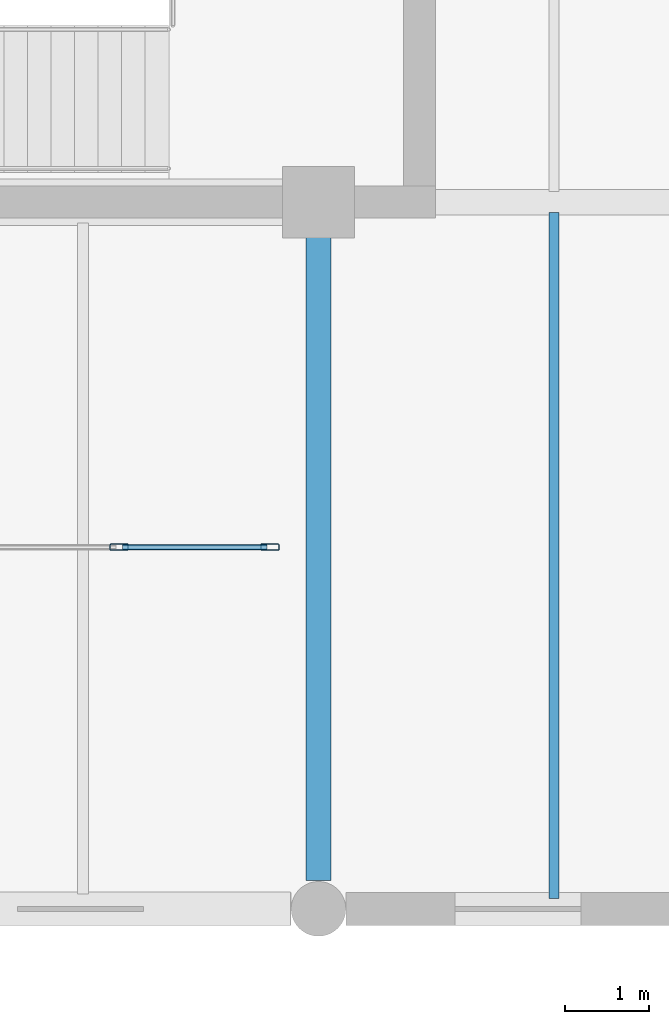
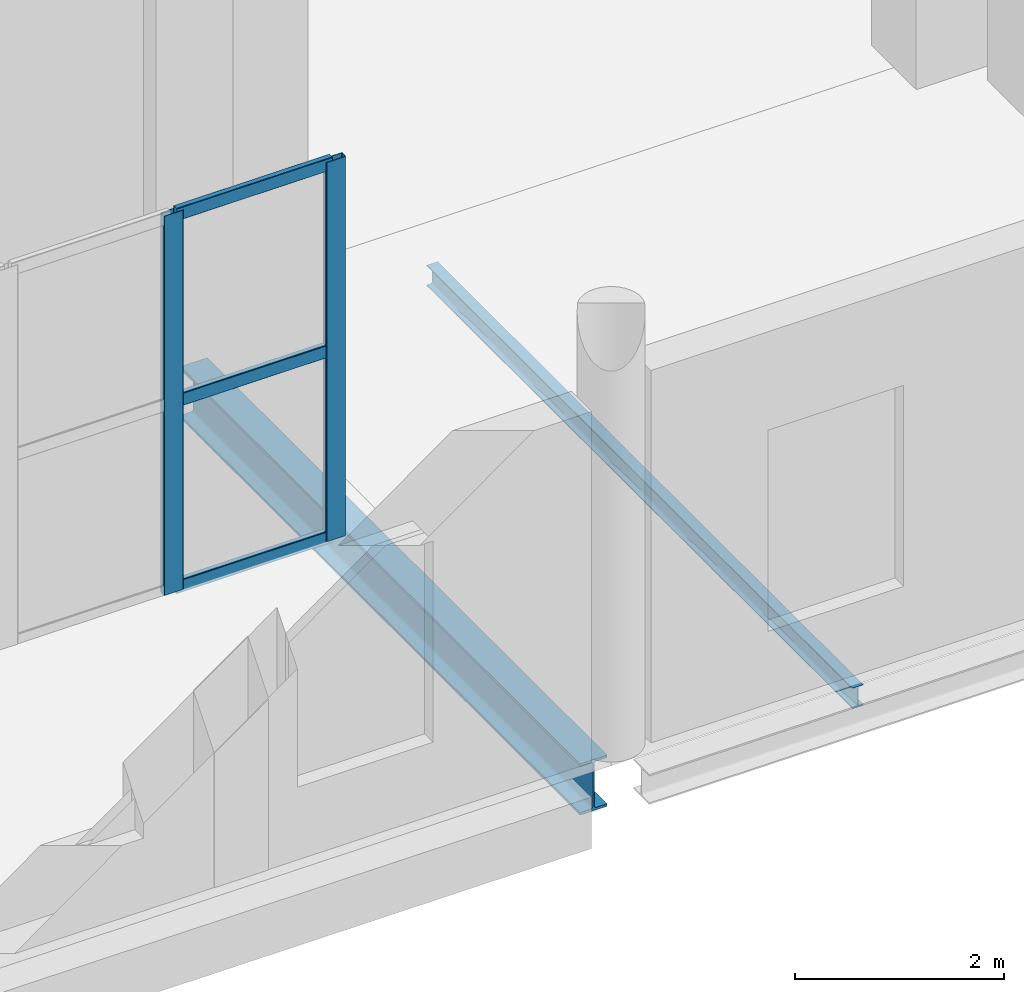
# One storey, part 9 of 73: 5 members, 2 beams, 1 element without a shape of its own.
"""IFC4 building model written with IfcOpenShell, lengths in metres."""

from ifc_helpers import new_model, si_unit, direction, frame, origin, origin_2d, place, context, subcontext, project, spatial, hollow_rectangle, i_section, extrude, material, layer, layer_set, material_profile, profile_set, type_object, element, aggregate, save


model = new_model("IFC4")

# Units and contexts
model_context = context("Model", 3, precision=1e-05, world=origin(), true_north=direction((0.0, 1.0)))
body_context = subcontext(model_context, "Body", "Model", "MODEL_VIEW")
ifc_project = project(units=[si_unit("LENGTHUNIT", "METRE"), si_unit("AREAUNIT", "SQUARE_METRE"), si_unit("VOLUMEUNIT", "CUBIC_METRE"), si_unit("PLANEANGLEUNIT", "RADIAN"), si_unit("MASSUNIT", "GRAM", prefix="KILO")], contexts=[model_context])

# Site, building, storey
site_placement = place(None, origin())
site = spatial("IfcSite", under=ifc_project, at=site_placement, CompositionType="ELEMENT")
building_placement = place(site_placement, origin())
building = spatial("IfcBuilding", under=site, at=building_placement, Name="Zulmaris Art Gallery", CompositionType="ELEMENT")
storey_placement = place(building_placement, frame((0.0, 0.0, 10.5)))
storey = spatial("IfcBuildingStorey", under=building, at=storey_placement, Name="L02", CompositionType="ELEMENT", Elevation=10.5)

# Beams
ifc_material_1 = material(Name="Steel S355J2", Category="steel")
ifc_material_profile_1 = material_profile(ifc_material_1, i_section(OverallWidth=0.300048828125, OverallDepth=0.60009765625, WebThickness=0.015380859375, FlangeThickness=0.030029296875, FilletRadius=0.027099609375, at=origin_2d()), Name="HEB 600")
ifc_profile_set_1 = profile_set([ifc_material_profile_1], Name="Steel S355J2")
beam_type_1 = type_object("IfcBeamType", Name="BEAM-BM15", PredefinedType="BEAM", material=ifc_profile_set_1)
beam_1_placement = place(storey_placement, frame((74.39990234375, 13.534912109375, -0.699951171875), z_axis=(0.0, 1.0, 0.0), x_axis=(-1.0, 0.0, 0.0)))
element("IfcBeam", 1, at=beam_1_placement, inside=storey, type_object=beam_type_1, Name="L02 Y-girder (x=74.4, 13.2..21.6)", PredefinedType="BEAM", context=body_context, shape_type="SweptSolid", body=[
    extrude(i_section(OverallWidth=0.300048828125, OverallDepth=0.60009765625, WebThickness=0.015380859375, FlangeThickness=0.030029296875, FilletRadius=0.027099609375, at=origin_2d()), origin(), (0.0, 0.0, 1.0), 7.655029296875),
])
ifc_material_profile_2 = material_profile(ifc_material_1, i_section(OverallWidth=0.1201171875, OverallDepth=0.239990234375, WebThickness=0.006103515625, FlangeThickness=0.009765625, FilletRadius=0.014892578125, at=origin_2d()), Name="IPE 240")
ifc_profile_set_2 = profile_set([ifc_material_profile_2], Name="Steel S355J2")
beam_type_2 = type_object("IfcBeamType", Name="BEAM-JS01", PredefinedType="JOIST", material=ifc_profile_set_2)
beam_2_placement = place(storey_placement, frame((77.199951171875, 13.324951171875, -0.52001953125), z_axis=(0.0, 1.0, 0.0), x_axis=(-1.0, 0.0, 0.0)))
element("IfcBeam", 2, at=beam_2_placement, inside=storey, type_object=beam_type_2, Name="L02 secondary joist at x=77.2", PredefinedType="JOIST", context=body_context, shape_type="SweptSolid", body=[
    extrude(i_section(OverallWidth=0.1201171875, OverallDepth=0.239990234375, WebThickness=0.006103515625, FlangeThickness=0.009765625, FilletRadius=0.014892578125, at=origin_2d()), origin(), (0.0, 0.0, 1.0), 8.150146484375),
])

# Curtain wall, members
ifc_material_2 = material(Name="Cloister & Court Glazed Curtain Wall", Category="aluminium")
ifc_layer = layer(ifc_material_2, 0.179931640625)
ifc_layer_set = layer_set([ifc_layer], Name="Cloister & Court Glazed Curtain Wall")
curtain_wall_type = type_object("IfcCurtainWallType", Name="CW-CW03", PredefinedType="NOTDEFINED", material=ifc_layer_set)
curtain_wall_placement = place(storey_placement, origin())
curtain_wall = element("IfcCurtainWall", 3, at=curtain_wall_placement, inside=storey, type_object=curtain_wall_type, Name="L02 curtain wall 61", PredefinedType="NOTDEFINED")
ifc_material_3 = material(Name="Anodised Bronze Aluminium", Category="aluminium")
ifc_material_profile_3 = material_profile(ifc_material_3, hollow_rectangle(XDim=0.074951171875, YDim=0.219970703125, WallThickness=0.0048828125, InnerFilletRadius=0.007568359375, OuterFilletRadius=0.012451171875, at=origin_2d()), Name="ALU 75x220x5")
ifc_profile_set_3 = profile_set([ifc_material_profile_3], Name="Anodised Bronze Aluminium")
member_type_1 = type_object("IfcMemberType", Name="CWMUL-02", PredefinedType="MULLION", material=ifc_profile_set_3)
member_1_placement = place(storey_placement, frame((72.030029296875, 17.5, 0.0), z_axis=(0.0, 0.0, 1.0), x_axis=(0.0, 1.0, 0.0)))
member_1 = element("IfcMember", 4, at=member_1_placement, type_object=member_type_1, Name="CW03 mullion 4", PredefinedType="MULLION", context=body_context, shape_type="SweptSolid", body=[
    extrude(hollow_rectangle(XDim=0.074951171875, YDim=0.219970703125, WallThickness=0.0048828125, InnerFilletRadius=0.007568359375, OuterFilletRadius=0.012451171875, at=origin_2d()), origin(), (0.0, 0.0, 1.0), 4.429931640625),
])
member_2_placement = place(storey_placement, frame((73.822509765625, 17.5, 0.0), z_axis=(0.0, 0.0, 1.0), x_axis=(0.0, 1.0, 0.0)))
member_2 = element("IfcMember", 5, at=member_2_placement, type_object=member_type_1, Name="CW03 mullion 5", PredefinedType="MULLION", context=body_context, shape_type="SweptSolid", body=[
    extrude(hollow_rectangle(XDim=0.074951171875, YDim=0.219970703125, WallThickness=0.0048828125, InnerFilletRadius=0.007568359375, OuterFilletRadius=0.012451171875, at=origin_2d()), origin(), (0.0, 0.0, 1.0), 4.429931640625),
])
ifc_material_profile_4 = material_profile(ifc_material_3, hollow_rectangle(XDim=0.06494140625, YDim=0.14990234375, WallThickness=0.00390625, InnerFilletRadius=0.006103515625, OuterFilletRadius=0.010009765625, at=origin_2d()), Name="ALU 65x150x4")
ifc_profile_set_4 = profile_set([ifc_material_profile_4], Name="Anodised Bronze Aluminium")
member_type_2 = type_object("IfcMemberType", Name="CWTRN-01", PredefinedType="USERDEFINED", material=ifc_profile_set_4)
member_3_placement = place(storey_placement, frame((72.0673828125, 17.5, 0.03759765625), z_axis=(1.0, 0.0, 0.0), x_axis=(0.0, 1.0, 0.0)))
member_3 = element("IfcMember", 6, at=member_3_placement, type_object=member_type_2, Name="CW03 transom 4.1", ObjectType="TRANSOM", PredefinedType="USERDEFINED", context=body_context, shape_type="SweptSolid", body=[
    extrude(hollow_rectangle(XDim=0.06494140625, YDim=0.14990234375, WallThickness=0.00390625, InnerFilletRadius=0.006103515625, OuterFilletRadius=0.010009765625, at=origin_2d()), origin(), (0.0, 0.0, 1.0), 1.717529296875),
])
member_4_placement = place(storey_placement, frame((72.0673828125, 17.5, 2.215087890625), z_axis=(1.0, 0.0, 0.0), x_axis=(0.0, 1.0, 0.0)))
member_4 = element("IfcMember", 7, at=member_4_placement, type_object=member_type_2, Name="CW03 transom 4.2", ObjectType="TRANSOM", PredefinedType="USERDEFINED", context=body_context, shape_type="SweptSolid", body=[
    extrude(hollow_rectangle(XDim=0.06494140625, YDim=0.14990234375, WallThickness=0.00390625, InnerFilletRadius=0.006103515625, OuterFilletRadius=0.010009765625, at=origin_2d()), origin(), (0.0, 0.0, 1.0), 1.717529296875),
])
member_5_placement = place(storey_placement, frame((72.0673828125, 17.5, 4.392578125), z_axis=(1.0, 0.0, 0.0), x_axis=(0.0, 1.0, 0.0)))
member_5 = element("IfcMember", 8, at=member_5_placement, type_object=member_type_2, Name="CW03 transom 4.3", ObjectType="TRANSOM", PredefinedType="USERDEFINED", context=body_context, shape_type="SweptSolid", body=[
    extrude(hollow_rectangle(XDim=0.06494140625, YDim=0.14990234375, WallThickness=0.00390625, InnerFilletRadius=0.006103515625, OuterFilletRadius=0.010009765625, at=origin_2d()), origin(), (0.0, 0.0, 1.0), 1.717529296875),
])
aggregate(curtain_wall, [member_1, member_2, member_3, member_4, member_5])

save(model, "model.ifc")
